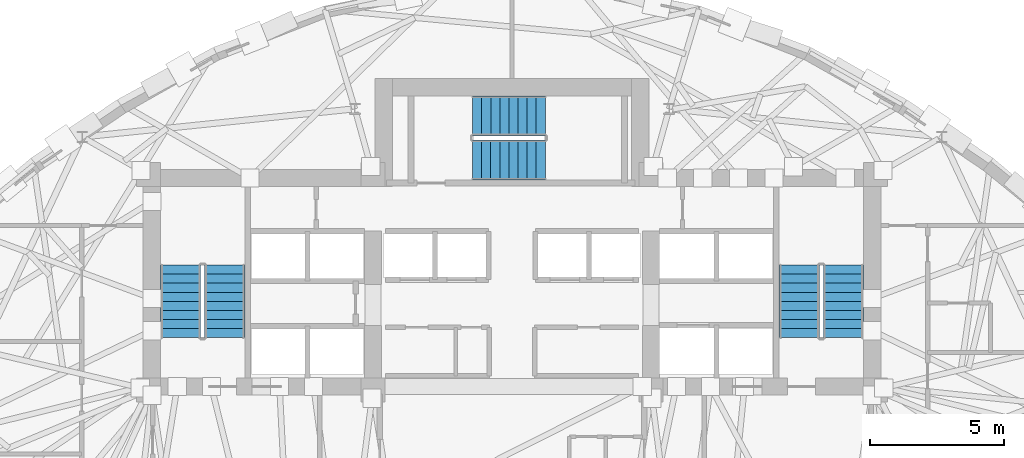
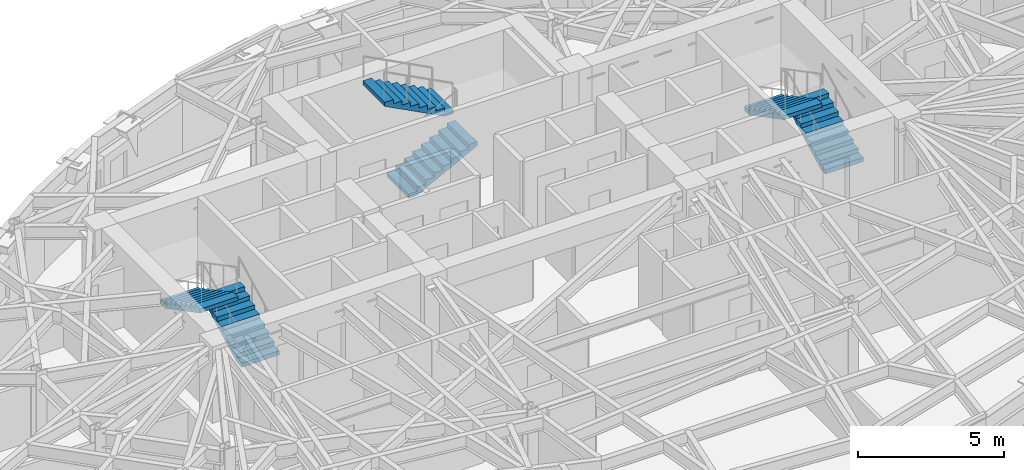
# One storey, part 10 of 14: 6 stair flights, 3 elements without a shape of their own.
"""IFC4 building model written with IfcOpenShell, lengths in metres."""

from ifc_helpers import new_model, si_unit, direction, frame, origin, place, context, subcontext, project, spatial, polyline, outline, extrude, material, type_object, element, aggregate, save


model = new_model("IFC4")

# Units and contexts
model_context = context("Model", 3, precision=1e-05, world=origin(), true_north=direction((0.0, 1.0)))
body_context = subcontext(model_context, "Body", "Model", "MODEL_VIEW")
ifc_project = project(units=[si_unit("LENGTHUNIT", "METRE"), si_unit("AREAUNIT", "SQUARE_METRE"), si_unit("VOLUMEUNIT", "CUBIC_METRE"), si_unit("PLANEANGLEUNIT", "RADIAN"), si_unit("MASSUNIT", "GRAM", prefix="KILO")], contexts=[model_context])

# Site, building, storey
site_placement = place(None, origin())
site = spatial("IfcSite", under=ifc_project, at=site_placement, CompositionType="ELEMENT")
building_placement = place(site_placement, origin())
building = spatial("IfcBuilding", under=site, at=building_placement, Name="Keldmark Tower", CompositionType="ELEMENT")
storey_placement = place(building_placement, frame((0.0, 0.0, 188.60009765625)))
storey = spatial("IfcBuildingStorey", under=building, at=storey_placement, Name="L52", CompositionType="ELEMENT", Elevation=188.60009765625)

# Stair, stair flights
ifc_material_1 = material(Name="Concrete C40/50", Category="concrete")
stair_type = type_object("IfcStairType", Name="Precast Concrete Core Exit Stair", PredefinedType="HALF_TURN_STAIR", material=ifc_material_1)
stair_1_placement = place(storey_placement, origin())
stair_1 = element("IfcStair", 1, at=stair_1_placement, inside=storey, type_object=stair_type, Name="L52 Exit Stair ST1", PredefinedType="HALF_TURN_STAIR")
ifc_material_2 = material(Name="Concrete C40/50", Category="concrete")
stair_flight_type = type_object("IfcStairFlightType", Name="Precast Concrete Stair Flight 1500 mm", PredefinedType="STRAIGHT", material=ifc_material_2)
stair_flight_1_placement = place(storey_placement, frame((-10.75, 3.35009765625, 0.0), z_axis=(0.0, 0.0, 1.0), x_axis=(0.0, 1.0, 0.0)))
stair_flight_1 = element("IfcStairFlight", 2, at=stair_flight_1_placement, type_object=stair_flight_type, Name="ST1 flight 1", NumberOfRisers=9, NumberOfTreads=8, PredefinedType="STRAIGHT", RiserHeight=0.177777778, TreadLength=0.34, context=body_context, shape_type="SweptSolid", body=[
    extrude(outline(polyline([(0.0, 0.0), (0.0, 0.177734375), (0.340087890625, 0.177734375), (0.340087890625, 0.35546875), (0.679931640625, 0.35546875), (0.679931640625, 0.533447265625), (1.02001953125, 0.533447265625), (1.02001953125, 0.711181640625), (1.360107421875, 0.711181640625), (1.360107421875, 0.888916015625), (1.699951171875, 0.888916015625), (1.699951171875, 1.066650390625), (2.0400390625, 1.066650390625), (2.0400390625, 1.244384765625), (2.3798828125, 1.244384765625), (2.3798828125, 1.422119140625), (2.719970703125, 1.422119140625), (2.719970703125, 1.60009765625), (2.719970703125, 1.253173828125), (0.323486328125, 0.0), (0.0, 0.0)])), frame((0.0, 0.75, 0.0), z_axis=(0.0, -1.0, 0.0), x_axis=(1.0, 0.0, 0.0)), (0.0, 0.0, 1.0), 1.5),
])
stair_flight_2_placement = place(storey_placement, frame((-12.39990234375, 6.070068359375, 1.599853515625), z_axis=(0.0, 0.0, 1.0), x_axis=(0.0, -1.0, 0.0)))
stair_flight_2 = element("IfcStairFlight", 3, at=stair_flight_2_placement, type_object=stair_flight_type, Name="ST1 flight 2", NumberOfRisers=9, NumberOfTreads=8, PredefinedType="STRAIGHT", RiserHeight=0.177777778, TreadLength=0.34, context=body_context, shape_type="SweptSolid", body=[
    extrude(outline(polyline([(0.0, 0.0), (0.0, 0.177734375), (0.340087890625, 0.177734375), (0.340087890625, 0.35546875), (0.679931640625, 0.35546875), (0.679931640625, 0.533447265625), (1.02001953125, 0.533447265625), (1.02001953125, 0.711181640625), (1.360107421875, 0.711181640625), (1.360107421875, 0.888916015625), (1.699951171875, 0.888916015625), (1.699951171875, 1.066650390625), (2.0400390625, 1.066650390625), (2.0400390625, 1.244384765625), (2.3798828125, 1.244384765625), (2.3798828125, 1.422119140625), (2.719970703125, 1.422119140625), (2.719970703125, 1.60009765625), (2.719970703125, 1.253173828125), (0.323486328125, 0.0), (0.0, 0.0)])), frame((0.0, 0.75, 0.0), z_axis=(0.0, -1.0, 0.0), x_axis=(1.0, 0.0, 0.0)), (0.0, 0.0, 1.0), 1.5),
])
aggregate(stair_1, [stair_flight_1, stair_flight_2])

stair_2_placement = place(storey_placement, origin())
stair_2 = element("IfcStair", 4, at=stair_2_placement, inside=storey, type_object=stair_type, Name="L52 Exit Stair ST2", PredefinedType="HALF_TURN_STAIR")
stair_flight_3_placement = place(storey_placement, frame((12.39990234375, 3.35009765625, 0.0), z_axis=(0.0, 0.0, 1.0), x_axis=(0.0, 1.0, 0.0)))
stair_flight_3 = element("IfcStairFlight", 5, at=stair_flight_3_placement, type_object=stair_flight_type, Name="ST2 flight 1", NumberOfRisers=9, NumberOfTreads=8, PredefinedType="STRAIGHT", RiserHeight=0.177777778, TreadLength=0.34, context=body_context, shape_type="SweptSolid", body=[
    extrude(outline(polyline([(0.0, 0.0), (0.0, 0.177734375), (0.340087890625, 0.177734375), (0.340087890625, 0.35546875), (0.679931640625, 0.35546875), (0.679931640625, 0.533447265625), (1.02001953125, 0.533447265625), (1.02001953125, 0.711181640625), (1.360107421875, 0.711181640625), (1.360107421875, 0.888916015625), (1.699951171875, 0.888916015625), (1.699951171875, 1.066650390625), (2.0400390625, 1.066650390625), (2.0400390625, 1.244384765625), (2.3798828125, 1.244384765625), (2.3798828125, 1.422119140625), (2.719970703125, 1.422119140625), (2.719970703125, 1.60009765625), (2.719970703125, 1.253173828125), (0.323486328125, 0.0), (0.0, 0.0)])), frame((0.0, 0.75, 0.0), z_axis=(0.0, -1.0, 0.0), x_axis=(1.0, 0.0, 0.0)), (0.0, 0.0, 1.0), 1.5),
])
stair_flight_4_placement = place(storey_placement, frame((10.75, 6.070068359375, 1.599853515625), z_axis=(0.0, 0.0, 1.0), x_axis=(0.0, -1.0, 0.0)))
stair_flight_4 = element("IfcStairFlight", 6, at=stair_flight_4_placement, type_object=stair_flight_type, Name="ST2 flight 2", NumberOfRisers=9, NumberOfTreads=8, PredefinedType="STRAIGHT", RiserHeight=0.177777778, TreadLength=0.34, context=body_context, shape_type="SweptSolid", body=[
    extrude(outline(polyline([(0.0, 0.0), (0.0, 0.177734375), (0.340087890625, 0.177734375), (0.340087890625, 0.35546875), (0.679931640625, 0.35546875), (0.679931640625, 0.533447265625), (1.02001953125, 0.533447265625), (1.02001953125, 0.711181640625), (1.360107421875, 0.711181640625), (1.360107421875, 0.888916015625), (1.699951171875, 0.888916015625), (1.699951171875, 1.066650390625), (2.0400390625, 1.066650390625), (2.0400390625, 1.244384765625), (2.3798828125, 1.244384765625), (2.3798828125, 1.422119140625), (2.719970703125, 1.422119140625), (2.719970703125, 1.60009765625), (2.719970703125, 1.253173828125), (0.323486328125, 0.0), (0.0, 0.0)])), frame((0.0, 0.75, 0.0), z_axis=(0.0, -1.0, 0.0), x_axis=(1.0, 0.0, 0.0)), (0.0, 0.0, 1.0), 1.5),
])
aggregate(stair_2, [stair_flight_3, stair_flight_4])

stair_3_placement = place(storey_placement, origin())
stair_3 = element("IfcStair", 7, at=stair_3_placement, inside=storey, type_object=stair_type, Name="L52 Exit Stair ST3", PredefinedType="HALF_TURN_STAIR")
stair_flight_5_placement = place(storey_placement, frame((-1.47509765625, 10.0, 0.0), z_axis=(0.0, 0.0, 1.0), x_axis=(1.0, 0.0, 0.0)))
stair_flight_5 = element("IfcStairFlight", 8, at=stair_flight_5_placement, type_object=stair_flight_type, Name="ST3 flight 1", NumberOfRisers=9, NumberOfTreads=8, PredefinedType="STRAIGHT", RiserHeight=0.177777778, TreadLength=0.34, context=body_context, shape_type="SweptSolid", body=[
    extrude(outline(polyline([(0.0, 0.0), (0.0, 0.177734375), (0.340087890625, 0.177734375), (0.340087890625, 0.35546875), (0.679931640625, 0.35546875), (0.679931640625, 0.533447265625), (1.02001953125, 0.533447265625), (1.02001953125, 0.711181640625), (1.360107421875, 0.711181640625), (1.360107421875, 0.888916015625), (1.699951171875, 0.888916015625), (1.699951171875, 1.066650390625), (2.0400390625, 1.066650390625), (2.0400390625, 1.244384765625), (2.3798828125, 1.244384765625), (2.3798828125, 1.422119140625), (2.719970703125, 1.422119140625), (2.719970703125, 1.60009765625), (2.719970703125, 1.253173828125), (0.323486328125, 0.0), (0.0, 0.0)])), frame((0.0, 0.75, 0.0), z_axis=(0.0, -1.0, 0.0), x_axis=(1.0, 0.0, 0.0)), (0.0, 0.0, 1.0), 1.5),
])
stair_flight_6_placement = place(storey_placement, frame((1.2451171875, 11.64990234375, 1.599853515625), z_axis=(0.0, 0.0, 1.0), x_axis=(-1.0, 0.0, 0.0)))
stair_flight_6 = element("IfcStairFlight", 9, at=stair_flight_6_placement, type_object=stair_flight_type, Name="ST3 flight 2", NumberOfRisers=9, NumberOfTreads=8, PredefinedType="STRAIGHT", RiserHeight=0.177777778, TreadLength=0.34, context=body_context, shape_type="SweptSolid", body=[
    extrude(outline(polyline([(0.0, 0.0), (0.0, 0.177734375), (0.340087890625, 0.177734375), (0.340087890625, 0.35546875), (0.679931640625, 0.35546875), (0.679931640625, 0.533447265625), (1.02001953125, 0.533447265625), (1.02001953125, 0.711181640625), (1.360107421875, 0.711181640625), (1.360107421875, 0.888916015625), (1.699951171875, 0.888916015625), (1.699951171875, 1.066650390625), (2.0400390625, 1.066650390625), (2.0400390625, 1.244384765625), (2.3798828125, 1.244384765625), (2.3798828125, 1.422119140625), (2.719970703125, 1.422119140625), (2.719970703125, 1.60009765625), (2.719970703125, 1.253173828125), (0.323486328125, 0.0), (0.0, 0.0)])), frame((0.0, 0.75, 0.0), z_axis=(0.0, -1.0, 0.0), x_axis=(1.0, 0.0, 0.0)), (0.0, 0.0, 1.0), 1.5),
])
aggregate(stair_3, [stair_flight_5, stair_flight_6])

save(model, "model.ifc")
